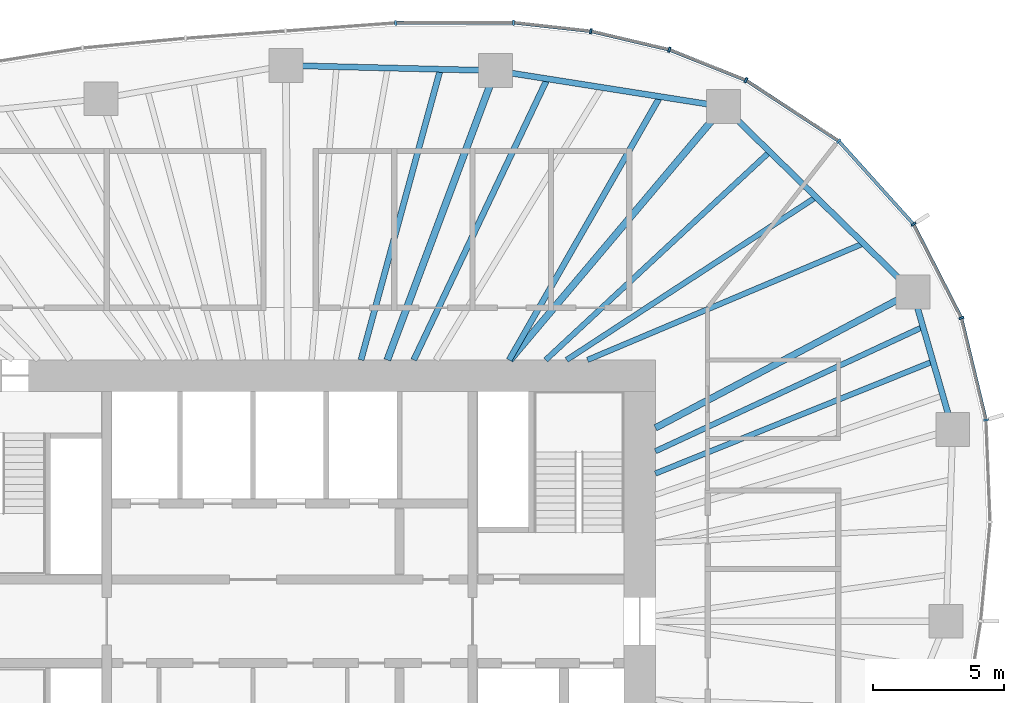
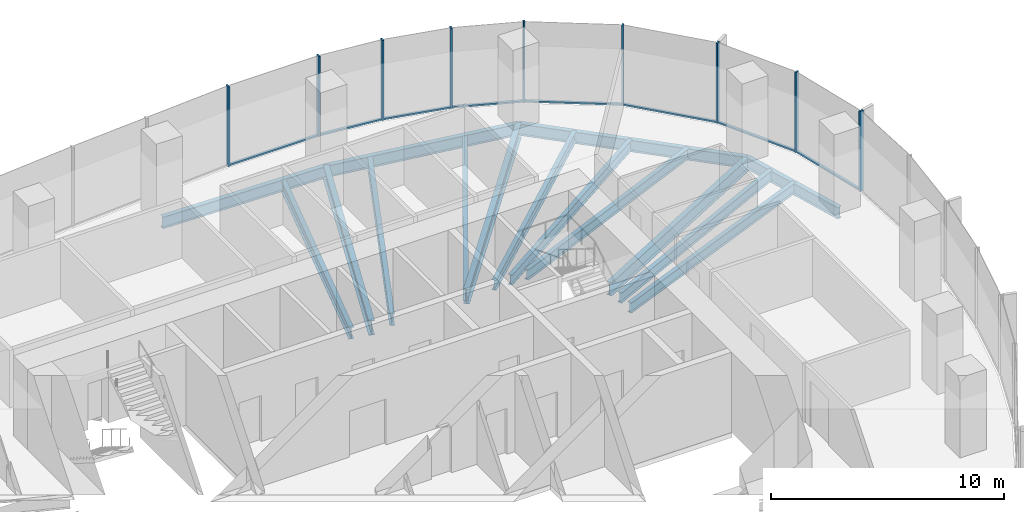
# One storey, part 6 of 11: 17 members, 15 beams, 4 elements without a shape of their own.
"""IFC4 building model written with IfcOpenShell, lengths in metres."""

from ifc_helpers import new_model, si_unit, direction, frame, origin, origin_2d, place, context, subcontext, project, spatial, rectangle, i_section, extrude, material, material_profile, profile_set, type_object, element, aggregate, save


model = new_model("IFC4")

# Units and contexts
model_context = context("Model", 3, precision=1e-05, world=origin(), true_north=direction((0.0, 1.0)))
body_context = subcontext(model_context, "Body", "Model", "MODEL_VIEW")
ifc_project = project(units=[si_unit("LENGTHUNIT", "METRE"), si_unit("AREAUNIT", "SQUARE_METRE"), si_unit("VOLUMEUNIT", "CUBIC_METRE"), si_unit("PLANEANGLEUNIT", "RADIAN"), si_unit("MASSUNIT", "GRAM", prefix="KILO")], contexts=[model_context])

# Site, building, storey
site_placement = place(None, origin())
site = spatial("IfcSite", under=ifc_project, at=site_placement, CompositionType="ELEMENT")
building_placement = place(site_placement, origin())
building = spatial("IfcBuilding", under=site, at=building_placement, Name="Ghaith Harvest Tower", CompositionType="ELEMENT")
storey_placement = place(building_placement, frame((0.0, 0.0, 215.800048828125)))
storey = spatial("IfcBuildingStorey", under=building, at=storey_placement, Name="L47", CompositionType="ELEMENT", Elevation=215.800048828125)

# Curtain wall, members
ifc_material_1 = material(Name="Black anodised aluminium and fritted glass", Category="aluminium")
curtain_wall_type = type_object("IfcCurtainWallType", Name="CW-H CURTAIN WALL", PredefinedType="NOTDEFINED", material=ifc_material_1)
curtain_wall_1_placement = place(storey_placement, origin())
curtain_wall_1 = element("IfcCurtainWall", 1, at=curtain_wall_1_placement, inside=storey, type_object=curtain_wall_type, Name="Curtain wall CW-H bay 02 L47", PredefinedType="NOTDEFINED")
ifc_material_2 = material(Name="Aluminium, black anodised", Category="aluminium")
ifc_material_profile_1 = material_profile(ifc_material_2, rectangle(XDim=0.080078125, YDim=0.199951171875, at=origin_2d()), Name="CW-H MULLION 80x200")
ifc_profile_set_1 = profile_set([ifc_material_profile_1], Name="Aluminium, black anodised")
member_type_1 = type_object("IfcMemberType", Name="CW-H MULLION 80x200", PredefinedType="MULLION", material=ifc_profile_set_1)
member_1_placement = place(storey_placement, frame((26.646484375, 7.701416015625, 0.0), z_axis=(0.0, 0.0, 1.0), x_axis=(-0.139146256981, 0.990271841046, 0.0)))
member_1 = element("IfcMember", 2, at=member_1_placement, type_object=member_type_1, Name="CW-H mullion 1 bay 02 L47", PredefinedType="MULLION", context=body_context, shape_type="SweptSolid", body=[
    extrude(rectangle(XDim=0.080078125, YDim=0.199951171875, at=origin_2d()), origin(), (0.0, 0.0, 1.0), 4.199951171875),
])
member_2_placement = place(storey_placement, frame((25.707275390625, 11.60546875, 0.0), z_axis=(0.0, 0.0, 1.0), x_axis=(-0.347012123561, 0.93786064322, 0.0)))
member_2 = element("IfcMember", 3, at=member_2_placement, type_object=member_type_1, Name="CW-H mullion 2 bay 02 L47", PredefinedType="MULLION", context=body_context, shape_type="SweptSolid", body=[
    extrude(rectangle(XDim=0.080078125, YDim=0.199951171875, at=origin_2d()), origin(), (0.0, 0.0, 1.0), 4.199951171875),
])

curtain_wall_2_placement = place(storey_placement, origin())
curtain_wall_2 = element("IfcCurtainWall", 4, at=curtain_wall_2_placement, inside=storey, type_object=curtain_wall_type, Name="Curtain wall CW-H bay 03 L47", PredefinedType="NOTDEFINED")
member_3_placement = place(storey_placement, frame((23.874267578125, 15.19384765625, 0.0), z_axis=(0.0, 0.0, 1.0), x_axis=(-0.569847382909, 0.821750546207, 0.0)))
member_3 = element("IfcMember", 5, at=member_3_placement, type_object=member_type_1, Name="CW-H mullion 1 bay 03 L47", PredefinedType="MULLION", context=body_context, shape_type="SweptSolid", body=[
    extrude(rectangle(XDim=0.080078125, YDim=0.199951171875, at=origin_2d()), origin(), (0.0, 0.0, 1.0), 4.199951171875),
])
member_4_placement = place(storey_placement, frame((21.013427734375, 18.374267578125, 0.0), z_axis=(0.0, 0.0, 1.0), x_axis=(-0.758541332755, 0.651624927778, 0.0)))
member_4 = element("IfcMember", 6, at=member_4_placement, type_object=member_type_1, Name="CW-H mullion 2 bay 03 L47", PredefinedType="MULLION", context=body_context, shape_type="SweptSolid", body=[
    extrude(rectangle(XDim=0.080078125, YDim=0.199951171875, at=origin_2d()), origin(), (0.0, 0.0, 1.0), 4.199951171875),
])

curtain_wall_3_placement = place(storey_placement, origin())
curtain_wall_3 = element("IfcCurtainWall", 7, at=curtain_wall_3_placement, inside=storey, type_object=curtain_wall_type, Name="Curtain wall CW-H bay 04 L47", PredefinedType="NOTDEFINED")
member_5_placement = place(storey_placement, frame((17.45947265625, 20.704345703125, 0.0), z_axis=(0.0, 0.0, 1.0), x_axis=(-0.880203412003, 0.474596621878, 0.0)))
member_5 = element("IfcMember", 8, at=member_5_placement, type_object=member_type_1, Name="CW-H mullion 1 bay 04 L47", PredefinedType="MULLION", context=body_context, shape_type="SweptSolid", body=[
    extrude(rectangle(XDim=0.080078125, YDim=0.199951171875, at=origin_2d()), origin(), (0.0, 0.0, 1.0), 4.199951171875),
])
member_6_placement = place(storey_placement, frame((14.52734375, 21.871337890625, 0.0), z_axis=(0.0, 0.0, 1.0), x_axis=(-0.953502908871, 0.30138381306, 0.0)))
member_6 = element("IfcMember", 9, at=member_6_placement, type_object=member_type_1, Name="CW-H mullion 2 bay 04 L47", PredefinedType="MULLION", context=body_context, shape_type="SweptSolid", body=[
    extrude(rectangle(XDim=0.080078125, YDim=0.199951171875, at=origin_2d()), origin(), (0.0, 0.0, 1.0), 4.199951171875),
])
member_7_placement = place(storey_placement, frame((11.527099609375, 22.579345703125, 0.0), z_axis=(0.0, 0.0, 1.0), x_axis=(-0.985193373388, 0.171446834417, 0.0)))
member_7 = element("IfcMember", 10, at=member_7_placement, type_object=member_type_1, Name="CW-H mullion 3 bay 04 L47", PredefinedType="MULLION", context=body_context, shape_type="SweptSolid", body=[
    extrude(rectangle(XDim=0.080078125, YDim=0.199951171875, at=origin_2d()), origin(), (0.0, 0.0, 1.0), 4.199951171875),
])

curtain_wall_4_placement = place(storey_placement, origin())
curtain_wall_4 = element("IfcCurtainWall", 11, at=curtain_wall_4_placement, inside=storey, type_object=curtain_wall_type, Name="Curtain wall CW-H bay 05 L47", PredefinedType="NOTDEFINED")
member_8_placement = place(storey_placement, frame((8.564208984375, 22.9091796875, 0.0), z_axis=(0.0, 0.0, 1.0), x_axis=(-0.999083519493, 0.042803283493, 0.0)))
member_8 = element("IfcMember", 12, at=member_8_placement, type_object=member_type_1, Name="CW-H mullion 1 bay 05 L47", PredefinedType="MULLION", context=body_context, shape_type="SweptSolid", body=[
    extrude(rectangle(XDim=0.080078125, YDim=0.199951171875, at=origin_2d()), origin(), (0.0, 0.0, 1.0), 4.199951171875),
])
member_9_placement = place(storey_placement, frame((4.0595703125, 22.8994140625, 0.0), z_axis=(0.0, 0.0, 1.0), x_axis=(-0.999332779724, -0.036523901335, 0.0)))
member_9 = element("IfcMember", 13, at=member_9_placement, type_object=member_type_1, Name="CW-H mullion 2 bay 05 L47", PredefinedType="MULLION", context=body_context, shape_type="SweptSolid", body=[
    extrude(rectangle(XDim=0.080078125, YDim=0.199951171875, at=origin_2d()), origin(), (0.0, 0.0, 1.0), 4.199951171875),
])

# Member
ifc_material_3 = material(Name="Aluminium, black anodised", Category="aluminium")
ifc_material_profile_2 = material_profile(ifc_material_3, rectangle(XDim=0.1298828125, YDim=0.080078125, at=origin_2d()), Name="CW-H TRANSOM 130x80")
ifc_profile_set_2 = profile_set([ifc_material_profile_2], Name="Aluminium, black anodised")
member_type_2 = type_object("IfcMemberType", Name="CW-H TRANSOM 130x80", PredefinedType="USERDEFINED", material=ifc_profile_set_2)
member_10_placement = place(storey_placement, frame((26.636962890625, 7.740234375, 0.0400390625), z_axis=(-0.233870324689, 0.972267798104, 0.0), x_axis=(-0.972267798104, -0.233870324689, 0.0)))
member_10 = element("IfcMember", 14, at=member_10_placement, type_object=member_type_2, Name="CW-H transom 1 bay 02 L47", ObjectType="TRANSOM", PredefinedType="USERDEFINED", context=body_context, shape_type="SweptSolid", body=[
    extrude(rectangle(XDim=0.1298828125, YDim=0.080078125, at=origin_2d()), origin(), (0.0, 0.0, 1.0), 3.935546875),
])

member_11_placement = place(storey_placement, frame((25.68896484375, 11.64111328125, 0.0400390625), z_axis=(-0.454911728312, 0.890536534592, 0.0), x_axis=(-0.890536534592, -0.454911728312, 0.0)))
member_11 = element("IfcMember", 15, at=member_11_placement, type_object=member_type_2, Name="CW-H transom 2 bay 02 L47", ObjectType="TRANSOM", PredefinedType="USERDEFINED", context=body_context, shape_type="SweptSolid", body=[
    extrude(rectangle(XDim=0.1298828125, YDim=0.080078125, at=origin_2d()), origin(), (0.0, 0.0, 1.0), 3.949462890625),
])

aggregate(curtain_wall_1, [member_1, member_10, member_2, member_11])

member_12_placement = place(storey_placement, frame((23.847412109375, 15.223388671875, 0.0400390625), z_axis=(-0.668752638518, 0.743484975286, 0.0), x_axis=(-0.743484975286, -0.668752638518, 0.0)))
member_12 = element("IfcMember", 16, at=member_12_placement, type_object=member_type_2, Name="CW-H transom 1 bay 03 L47", ObjectType="TRANSOM", PredefinedType="USERDEFINED", context=body_context, shape_type="SweptSolid", body=[
    extrude(rectangle(XDim=0.1298828125, YDim=0.080078125, at=origin_2d()), origin(), (0.0, 0.0, 1.0), 4.197998046875),
])

member_13_placement = place(storey_placement, frame((20.97998046875, 18.39599609375, 0.0400390625), z_axis=(-0.836268574396, 0.548320044753, 0.0), x_axis=(-0.548320044753, -0.836268574396, 0.0)))
member_13 = element("IfcMember", 17, at=member_13_placement, type_object=member_type_2, Name="CW-H transom 2 bay 03 L47", ObjectType="TRANSOM", PredefinedType="USERDEFINED", context=body_context, shape_type="SweptSolid", body=[
    extrude(rectangle(XDim=0.1298828125, YDim=0.080078125, at=origin_2d()), origin(), (0.0, 0.0, 1.0), 4.169677734375),
])

aggregate(curtain_wall_2, [member_3, member_12, member_4, member_13])

member_14_placement = place(storey_placement, frame((17.42236328125, 20.71923828125, 0.0400390625), z_axis=(-0.929115751434, 0.369789021521, 0.0), x_axis=(-0.369789021521, -0.929115751434, 0.0)))
member_14 = element("IfcMember", 18, at=member_14_placement, type_object=member_type_2, Name="CW-H transom 1 bay 04 L47", ObjectType="TRANSOM", PredefinedType="USERDEFINED", context=body_context, shape_type="SweptSolid", body=[
    extrude(rectangle(XDim=0.1298828125, YDim=0.080078125, at=origin_2d()), origin(), (0.0, 0.0, 1.0), 3.075927734375),
])

member_15_placement = place(storey_placement, frame((14.48828125, 21.880615234375, 0.0400390625), z_axis=(-0.97325803677, 0.229714592186, 0.0), x_axis=(-0.229714592186, -0.97325803677, 0.0)))
member_15 = element("IfcMember", 19, at=member_15_placement, type_object=member_type_2, Name="CW-H transom 2 bay 04 L47", ObjectType="TRANSOM", PredefinedType="USERDEFINED", context=body_context, shape_type="SweptSolid", body=[
    extrude(rectangle(XDim=0.1298828125, YDim=0.080078125, at=origin_2d()), origin(), (0.0, 0.0, 1.0), 3.00244140625),
])

member_16_placement = place(storey_placement, frame((11.4873046875, 22.583984375, 0.0400390625), z_axis=(-0.993867303252, 0.110579308762, 0.0), x_axis=(-0.110579308762, -0.993867303252, 0.0)))
member_16 = element("IfcMember", 20, at=member_16_placement, type_object=member_type_2, Name="CW-H transom 3 bay 04 L47", ObjectType="TRANSOM", PredefinedType="USERDEFINED", context=body_context, shape_type="SweptSolid", body=[
    extrude(rectangle(XDim=0.1298828125, YDim=0.080078125, at=origin_2d()), origin(), (0.0, 0.0, 1.0), 2.901123046875),
])

aggregate(curtain_wall_3, [member_5, member_14, member_6, member_15, member_7, member_16])

member_17_placement = place(storey_placement, frame((8.524169921875, 22.9091796875, 0.0400390625), z_axis=(-0.999997564275, -0.002207134722, 0.0), x_axis=(0.002207134722, -0.999997564275, 0.0)))
member_17 = element("IfcMember", 21, at=member_17_placement, type_object=member_type_2, Name="CW-H transom 1 bay 05 L47", ObjectType="TRANSOM", PredefinedType="USERDEFINED", context=body_context, shape_type="SweptSolid", body=[
    extrude(rectangle(XDim=0.1298828125, YDim=0.080078125, at=origin_2d()), origin(), (0.0, 0.0, 1.0), 4.424560546875),
])

aggregate(curtain_wall_4, [member_8, member_17, member_9])

# Beams
ifc_material_4 = material(Name="Steel ASTM A992 Grade 50", Category="steel")
ifc_material_profile_3 = material_profile(ifc_material_4, i_section(OverallWidth=0.22900390625, OverallDepth=0.612060546875, WebThickness=0.011962890625, FlangeThickness=0.01953125, at=origin_2d()), Name="W610X125")
ifc_profile_set_3 = profile_set([ifc_material_profile_3], Name="Steel ASTM A992 Grade 50")
beam_type_1 = type_object("IfcBeamType", Name="E610-125 W610X125", PredefinedType="SPANDREL", material=ifc_profile_set_3)
beam_1_placement = place(storey_placement, frame((25.3779296875, 7.3349609375, -0.47607421875), z_axis=(-0.278021352648, 0.960574894254, 0.0), x_axis=(-0.960574894254, -0.278021352648, 0.0)))
element("IfcBeam", 22, at=beam_1_placement, inside=storey, type_object=beam_type_1, Name="Edge beam E02 L47", PredefinedType="SPANDREL", context=body_context, shape_type="SweptSolid", body=[
    extrude(i_section(OverallWidth=0.22900390625, OverallDepth=0.612060546875, WebThickness=0.011962890625, FlangeThickness=0.01953125, at=origin_2d()), origin(), (0.0, 0.0, 1.0), 5.48828125),
])
beam_2_placement = place(storey_placement, frame((23.85205078125, 12.60693359375, -0.47607421875), z_axis=(-0.714761249388, 0.699368541166, 0.0), x_axis=(-0.699368541166, -0.714761249388, 0.0)))
element("IfcBeam", 23, at=beam_2_placement, inside=storey, type_object=beam_type_1, Name="Edge beam E03 L47", PredefinedType="SPANDREL", context=body_context, shape_type="SweptSolid", body=[
    extrude(i_section(OverallWidth=0.22900390625, OverallDepth=0.612060546875, WebThickness=0.011962890625, FlangeThickness=0.01953125, at=origin_2d()), origin(), (0.0, 0.0, 1.0), 10.135009765625),
])
beam_3_placement = place(storey_placement, frame((16.60791015625, 19.695068359375, -0.47607421875), z_axis=(-0.987788485872, 0.155800857439, 0.0), x_axis=(-0.155800857439, -0.987788485872, 0.0)))
element("IfcBeam", 24, at=beam_3_placement, inside=storey, type_object=beam_type_1, Name="Edge beam E04 L47", PredefinedType="SPANDREL", context=body_context, shape_type="SweptSolid", body=[
    extrude(i_section(OverallWidth=0.22900390625, OverallDepth=0.612060546875, WebThickness=0.011962890625, FlangeThickness=0.01953125, at=origin_2d()), origin(), (0.0, 0.0, 1.0), 8.837890625),
])
beam_4_placement = place(storey_placement, frame((7.8779296875, 21.072021484375, -0.47607421875), z_axis=(-0.999692679676, 0.024790042413, 0.0), x_axis=(-0.024790042413, -0.999692679676, 0.0)))
element("IfcBeam", 25, at=beam_4_placement, inside=storey, type_object=beam_type_1, Name="Edge beam E05 L47", PredefinedType="SPANDREL", context=body_context, shape_type="SweptSolid", body=[
    extrude(i_section(OverallWidth=0.22900390625, OverallDepth=0.612060546875, WebThickness=0.011962890625, FlangeThickness=0.01953125, at=origin_2d()), origin(), (0.0, 0.0, 1.0), 8.0263671875),
])
ifc_material_5 = material(Name="Steel ASTM A992 Grade 50", Category="steel")
ifc_material_profile_4 = material_profile(ifc_material_5, i_section(OverallWidth=0.256103515625, OverallDepth=0.693115234375, WebThickness=0.014404296875, FlangeThickness=0.023681640625, at=origin_2d()), Name="W690X170")
ifc_profile_set_4 = profile_set([ifc_material_profile_4], Name="Steel ASTM A992 Grade 50")
beam_type_2 = type_object("IfcBeamType", Name="G690-170 W690X170", PredefinedType="BEAM", material=ifc_profile_set_4)
beam_5_placement = place(storey_placement, frame((14.0, 7.39990234375, -0.5166015625), z_axis=(0.884112784119, 0.467273565438, 0.0), x_axis=(-0.467273565438, 0.884112784119, 0.0)))
element("IfcBeam", 26, at=beam_5_placement, inside=storey, type_object=beam_type_2, Name="Radial girder G03 L47", PredefinedType="BEAM", context=body_context, shape_type="SweptSolid", body=[
    extrude(i_section(OverallWidth=0.256103515625, OverallDepth=0.693115234375, WebThickness=0.014404296875, FlangeThickness=0.023681640625, at=origin_2d()), origin(), (0.0, 0.0, 1.0), 11.143310546875),
])
ifc_material_6 = material(Name="Steel ASTM A992 Grade 50", Category="steel")
ifc_material_profile_5 = material_profile(ifc_material_6, i_section(OverallWidth=0.26806640625, OverallDepth=0.77001953125, WebThickness=0.015625, FlangeThickness=0.025390625, at=origin_2d()), Name="W760X196")
ifc_profile_set_5 = profile_set([ifc_material_profile_5], Name="Steel ASTM A992 Grade 50")
beam_type_3 = type_object("IfcBeamType", Name="G760-196 W760X196", PredefinedType="BEAM", material=ifc_profile_set_5)
beam_6_placement = place(storey_placement, frame((8.4326171875, 10.0, -0.554931640625), z_axis=(0.644644245772, 0.764482698557, 0.0), x_axis=(-0.764482698557, 0.644644245772, 0.0)))
element("IfcBeam", 27, at=beam_6_placement, inside=storey, type_object=beam_type_3, Name="Radial girder G04 L47", PredefinedType="BEAM", context=body_context, shape_type="SweptSolid", body=[
    extrude(i_section(OverallWidth=0.26806640625, OverallDepth=0.77001953125, WebThickness=0.015625, FlangeThickness=0.025390625, at=origin_2d()), origin(), (0.0, 0.0, 1.0), 12.681884765625),
])
beam_7_placement = place(storey_placement, frame((3.73828125, 10.0, -0.554931640625), z_axis=(0.350206582147, 0.936672488024, 0.0), x_axis=(-0.936672488024, 0.350206582147, 0.0)))
element("IfcBeam", 28, at=beam_7_placement, inside=storey, type_object=beam_type_3, Name="Radial girder G05 L47", PredefinedType="BEAM", context=body_context, shape_type="SweptSolid", body=[
    extrude(i_section(OverallWidth=0.26806640625, OverallDepth=0.77001953125, WebThickness=0.015625, FlangeThickness=0.025390625, at=origin_2d()), origin(), (0.0, 0.0, 1.0), 11.820556640625),
])
ifc_material_7 = material(Name="Steel ASTM A992 Grade 50", Category="steel")
ifc_material_profile_6 = material_profile(ifc_material_7, i_section(OverallWidth=0.2109375, OverallDepth=0.5390625, WebThickness=0.01171875, FlangeThickness=0.018798828125, at=origin_2d()), Name="W530X109")
ifc_profile_set_6 = profile_set([ifc_material_profile_6], Name="Steel ASTM A992 Grade 50")
beam_type_4 = type_object("IfcBeamType", Name="J530-109 W530X109", PredefinedType="JOIST", material=ifc_profile_set_6)
beam_8_placement = place(storey_placement, frame((14.0, 5.653564453125, -0.439453125), z_axis=(0.927250374508, 0.37444190868, 0.0), x_axis=(-0.37444190868, 0.927250374508, 0.0)))
element("IfcBeam", 29, at=beam_8_placement, inside=storey, type_object=beam_type_4, Name="Joist J02.2 L47", PredefinedType="JOIST", context=body_context, shape_type="SweptSolid", body=[
    extrude(i_section(OverallWidth=0.2109375, OverallDepth=0.5390625, WebThickness=0.01171875, FlangeThickness=0.018798828125, at=origin_2d()), origin(), (0.0, 0.0, 1.0), 11.45654296875),
])
beam_9_placement = place(storey_placement, frame((14.0, 6.506103515625, -0.439453125), z_axis=(0.906864105655, 0.421423176718, 0.0), x_axis=(-0.421423176718, 0.906864105655, 0.0)))
element("IfcBeam", 30, at=beam_9_placement, inside=storey, type_object=beam_type_4, Name="Joist J02.3 L47", PredefinedType="JOIST", context=body_context, shape_type="SweptSolid", body=[
    extrude(i_section(OverallWidth=0.2109375, OverallDepth=0.5390625, WebThickness=0.01171875, FlangeThickness=0.018798828125, at=origin_2d()), origin(), (0.0, 0.0, 1.0), 11.292236328125),
])
beam_10_placement = place(storey_placement, frame((11.39990234375, 10.0, -0.439453125), z_axis=(0.92127415213, 0.388913790727, 0.0), x_axis=(-0.388913790727, 0.92127415213, 0.0)))
element("IfcBeam", 31, at=beam_10_placement, inside=storey, type_object=beam_type_4, Name="Joist J03.1 L47", PredefinedType="JOIST", context=body_context, shape_type="SweptSolid", body=[
    extrude(i_section(OverallWidth=0.2109375, OverallDepth=0.5390625, WebThickness=0.01171875, FlangeThickness=0.018798828125, at=origin_2d()), origin(), (0.0, 0.0, 1.0), 11.462646484375),
])
beam_11_placement = place(storey_placement, frame((10.60009765625, 10.0, -0.439453125), z_axis=(0.837329320942, 0.546698827775, 0.0), x_axis=(-0.546698827775, 0.837329320942, 0.0)))
element("IfcBeam", 32, at=beam_11_placement, inside=storey, type_object=beam_type_4, Name="Joist J03.2 L47", PredefinedType="JOIST", context=body_context, shape_type="SweptSolid", body=[
    extrude(i_section(OverallWidth=0.2109375, OverallDepth=0.5390625, WebThickness=0.01171875, FlangeThickness=0.018798828125, at=origin_2d()), origin(), (0.0, 0.0, 1.0), 11.40087890625),
])
beam_12_placement = place(storey_placement, frame((9.800048828125, 10.0, -0.439453125), z_axis=(0.732519288302, 0.680746275984, 0.0), x_axis=(-0.680746275984, 0.732519288302, 0.0)))
element("IfcBeam", 33, at=beam_12_placement, inside=storey, type_object=beam_type_4, Name="Joist J03.3 L47", PredefinedType="JOIST", context=body_context, shape_type="SweptSolid", body=[
    extrude(i_section(OverallWidth=0.2109375, OverallDepth=0.5390625, WebThickness=0.01171875, FlangeThickness=0.018798828125, at=origin_2d()), origin(), (0.0, 0.0, 1.0), 11.7041015625),
])
ifc_material_8 = material(Name="Steel ASTM A992 Grade 50", Category="steel")
ifc_material_profile_7 = material_profile(ifc_material_8, i_section(OverallWidth=0.22900390625, OverallDepth=0.612060546875, WebThickness=0.011962890625, FlangeThickness=0.01953125, at=origin_2d()), Name="W610X125")
ifc_profile_set_7 = profile_set([ifc_material_profile_7], Name="Steel ASTM A992 Grade 50")
beam_type_5 = type_object("IfcBeamType", Name="J610-125 W610X125", PredefinedType="JOIST", material=ifc_profile_set_7)
beam_13_placement = place(storey_placement, frame((8.39990234375, 10.0, -0.47607421875), z_axis=(0.497444212127, 0.867495968764, 0.0), x_axis=(-0.867495968764, 0.497444212127, 0.0)))
element("IfcBeam", 34, at=beam_13_placement, inside=storey, type_object=beam_type_5, Name="Joist J04.1 L47", PredefinedType="JOIST", context=body_context, shape_type="SweptSolid", body=[
    extrude(i_section(OverallWidth=0.22900390625, OverallDepth=0.612060546875, WebThickness=0.011962890625, FlangeThickness=0.01953125, at=origin_2d()), origin(), (0.0, 0.0, 1.0), 11.617431640625),
])
beam_14_placement = place(storey_placement, frame((4.75, 10.0, -0.47607421875), z_axis=(0.429069356877, 0.903271546651, 0.0), x_axis=(-0.903271546651, 0.429069356877, 0.0)))
element("IfcBeam", 35, at=beam_14_placement, inside=storey, type_object=beam_type_5, Name="Joist J04.3 L47", PredefinedType="JOIST", context=body_context, shape_type="SweptSolid", body=[
    extrude(i_section(OverallWidth=0.22900390625, OverallDepth=0.612060546875, WebThickness=0.011962890625, FlangeThickness=0.01953125, at=origin_2d()), origin(), (0.0, 0.0, 1.0), 11.911376953125),
])
beam_15_placement = place(storey_placement, frame((2.73095703125, 10.0, -0.47607421875), z_axis=(0.263455967932, 0.964671422279, 0.0), x_axis=(-0.964671422279, 0.263455967932, 0.0)))
element("IfcBeam", 36, at=beam_15_placement, inside=storey, type_object=beam_type_5, Name="Joist J05.1 L47", PredefinedType="JOIST", context=body_context, shape_type="SweptSolid", body=[
    extrude(i_section(OverallWidth=0.22900390625, OverallDepth=0.612060546875, WebThickness=0.011962890625, FlangeThickness=0.01953125, at=origin_2d()), origin(), (0.0, 0.0, 1.0), 11.53173828125),
])

save(model, "model.ifc")
